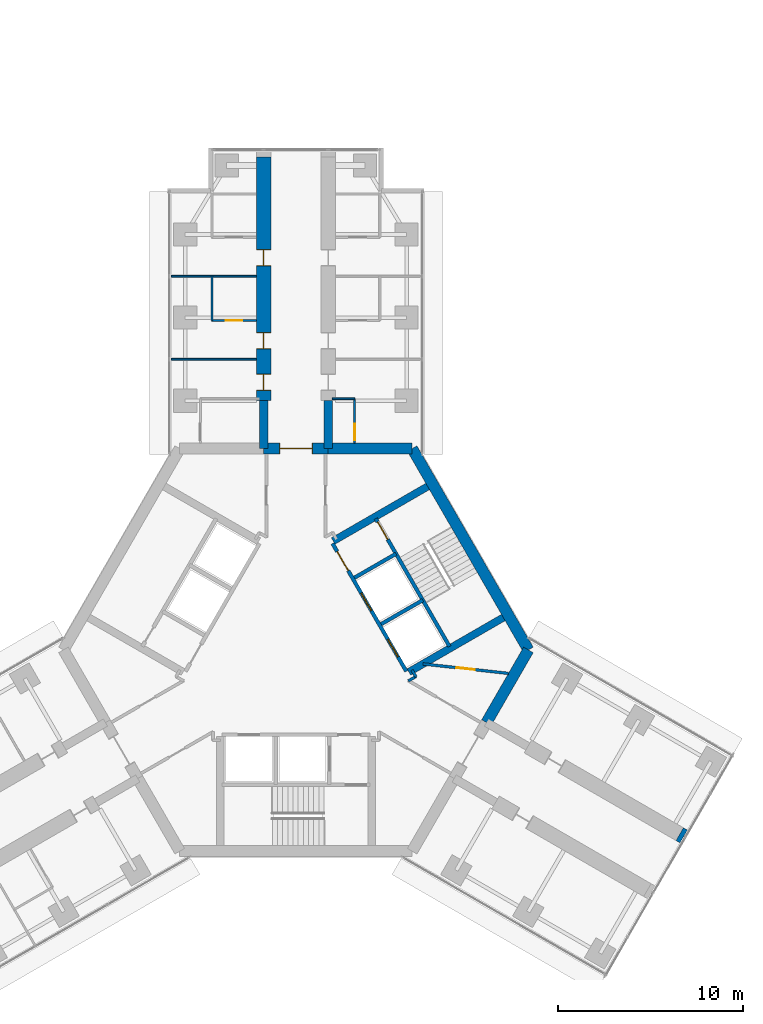
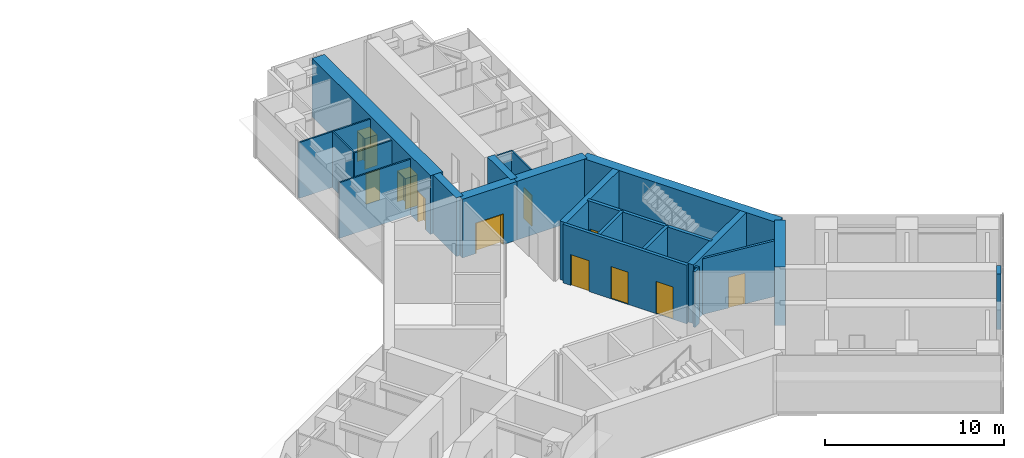
# One storey, part 20 of 23: 23 walls, 11 doors, 11 openings.
"""IFC4 building model written with IfcOpenShell, lengths in metres."""

from ifc_helpers import new_model, si_unit, direction, frame, frame_2d, origin, place, context, subcontext, project, spatial, rectangle, extrude, material, layer, layer_set, type_object, element, fill, save


model = new_model("IFC4")

# Units and contexts
model_context = context("Model", 3, precision=1e-05, world=origin(), true_north=direction((0.0, 1.0)))
body_context = subcontext(model_context, "Body", "Model", "MODEL_VIEW")
ifc_project = project(units=[si_unit("LENGTHUNIT", "METRE"), si_unit("AREAUNIT", "SQUARE_METRE"), si_unit("VOLUMEUNIT", "CUBIC_METRE"), si_unit("PLANEANGLEUNIT", "RADIAN"), si_unit("MASSUNIT", "GRAM", prefix="KILO")], contexts=[model_context])

# Site, building, storey
site_placement = place(None, origin())
site = spatial("IfcSite", under=ifc_project, at=site_placement, CompositionType="ELEMENT")
building_placement = place(site_placement, origin())
building = spatial("IfcBuilding", under=site, at=building_placement, Name="Upepo Twin Towers", CompositionType="ELEMENT")
storey_placement = place(building_placement, frame((0.0, 0.0, 153.5)))
storey = spatial("IfcBuildingStorey", under=building, at=storey_placement, Name="L37", CompositionType="ELEMENT", Elevation=153.5)

# Walls
ifc_material_1 = material(Name="Dense concrete blockwork", Category="masonry")
ifc_layer_1 = layer(ifc_material_1, 0.800048828125)
ifc_layer_set_1 = layer_set([ifc_layer_1], Name="Buttress closer 800, blockwork with fire-stopping to the curtain wall")
wall_type_1 = type_object("IfcWallType", Name="Buttress closer 800, blockwork with fire-stopping to the curtain wall", PredefinedType="PARTITIONING", material=ifc_layer_set_1)
wall_1_placement = place(storey_placement, frame((79.293701171875, -27.984375, 0.0), z_axis=(0.0, 0.0, 1.0), x_axis=(0.865827443207, -0.500342721131, 0.0)))
element("IfcWall", 1, at=wall_1_placement, inside=storey, type_object=wall_type_1, Name="T2 L37 wing C buttress closer L", PredefinedType="PARTITIONING", context=body_context, shape_type="SweptSolid", body=[
    extrude(rectangle(XDim=0.249755859375, YDim=0.800048828125, at=frame_2d((0.125, 0.0))), origin(), (0.0, 0.0, 1.0), 3.800048828125),
])
ifc_material_2 = material(Name="Concrete C60/75", Category="concrete")
ifc_layer_2 = layer(ifc_material_2, 0.449951171875)
ifc_layer_set_2 = layer_set([ifc_layer_2], Name="Concrete C60/75")
wall_type_2 = type_object("IfcWallType", Name="Buttress wall 450 RC", PredefinedType="SHEAR", material=ifc_layer_set_2)
for number, where, z_axis, x_axis, name in (
    (2, (56.75, -7.091552734375, 0.0), (0.0, 0.0, 1.0), (0.0, 1.0, 0.0), "T2 wing A buttress wall L"),
    (3, (60.25, -7.091552734375, 0.0), (0.0, 0.0, 1.0), (0.0, 1.0, 0.0), "T2 wing A buttress wall R"),
):
    element("IfcWall", number, at=place(storey_placement, frame(where, z_axis=z_axis, x_axis=x_axis)), inside=storey, type_object=wall_type_2, Name=name, PredefinedType="SHEAR", context=body_context, shape_type="SweptSolid", body=[
        extrude(rectangle(XDim=2.591552734375, YDim=0.449951171875, at=frame_2d((1.2958984375, 0.0))), origin(), (0.0, 0.0, 1.0), 4.0),
    ])

# Wall, openings, doors
ifc_material_3 = material(Name="Concrete C60/75", Category="concrete")
ifc_layer_3 = layer(ifc_material_3, 0.800048828125)
ifc_layer_set_3 = layer_set([ifc_layer_3], Name="Concrete C60/75")
wall_type_3 = type_object("IfcWallType", Name="Buttress wall 800 RC", PredefinedType="SHEAR", material=ifc_layer_set_3)
wall_2_placement = place(storey_placement, frame((56.75, -4.5, 0.0), z_axis=(0.0, 0.0, 1.0), x_axis=(0.0, 1.0, 0.0)))
wall_2 = element("IfcWall", 4, at=wall_2_placement, inside=storey, type_object=wall_type_3, Name="T2 wing A buttress wall L part 2", PredefinedType="SHEAR", context=body_context, shape_type="SweptSolid", body=[
    extrude(rectangle(XDim=13.199951171875, YDim=0.800048828125, at=frame_2d((6.60009765625, 0.0))), origin(), (0.0, 0.0, 1.0), 4.0),
])
opening_1_placement = place(wall_2_placement, frame((0.550048828125, 0.0, 0.0)))
opening_1 = element("IfcOpeningElement", 5, at=opening_1_placement, cuts=wall_2, Name="Opening D11", PredefinedType="OPENING", context=body_context, shape_type="SweptSolid", body=[
    extrude(rectangle(XDim=0.89990234375, YDim=2.10009765625, at=frame_2d((0.449951171875, 1.050048828125))), frame((0.0, 0.409912109375, 0.0), z_axis=(0.0, -1.0, 0.0), x_axis=(1.0, 0.0, 0.0)), (0.0, 0.0, 1.0), 0.820068359375),
])
opening_2_placement = place(wall_2_placement, frame((2.800048828125, 0.0, 0.0)))
opening_2 = element("IfcOpeningElement", 6, at=opening_2_placement, cuts=wall_2, Name="Opening D14", PredefinedType="OPENING", context=body_context, shape_type="SweptSolid", body=[
    extrude(rectangle(XDim=0.89990234375, YDim=2.10009765625, at=frame_2d((0.449951171875, 1.050048828125))), frame((0.0, 0.409912109375, 0.0), z_axis=(0.0, -1.0, 0.0), x_axis=(1.0, 0.0, 0.0)), (0.0, 0.0, 1.0), 0.820068359375),
])
opening_3_placement = place(wall_2_placement, frame((7.300048828125, 0.0, 0.0)))
opening_3 = element("IfcOpeningElement", 7, at=opening_3_placement, cuts=wall_2, Name="Opening D14", PredefinedType="OPENING", context=body_context, shape_type="SweptSolid", body=[
    extrude(rectangle(XDim=0.89990234375, YDim=2.10009765625, at=frame_2d((0.449951171875, 1.050048828125))), frame((0.0, 0.409912109375, 0.0), z_axis=(0.0, -1.0, 0.0), x_axis=(1.0, 0.0, 0.0)), (0.0, 0.0, 1.0), 0.820068359375),
])
ifc_material_4 = material(Name="Timber doorset", Category="wood")
door_type_1 = type_object("IfcDoorType", Name="Office door 900 FD30", OperationType="SINGLE_SWING_LEFT", PredefinedType="DOOR", material=ifc_material_4)
door_1_placement = place(opening_2_placement, origin())
door_1 = element("IfcDoor", 8, at=door_1_placement, inside=storey, type_object=door_type_1, Name="T2 L37 staff office door", OperationType="SINGLE_SWING_LEFT", OverallHeight=2.10009765625, OverallWidth=0.89990234375, PredefinedType="DOOR", context=body_context, shape_type="SweptSolid", body=[
    extrude(rectangle(XDim=0.81990234375, YDim=2.06009765625, at=frame_2d((0.449951171875, 1.030029296875))), frame((0.0, 0.02490234375, 0.0), z_axis=(0.0, -1.0, 0.0), x_axis=(1.0, 0.0, 0.0)), (0.0, 0.0, 1.0), 0.050048828125),
    extrude(rectangle(XDim=0.04, YDim=2.10009765625, at=frame_2d((0.02001953125, 1.050048828125))), frame((0.0, 0.39990234375, 0.0), z_axis=(0.0, -1.0, 0.0), x_axis=(1.0, 0.0, 0.0)), (0.0, 0.0, 1.0), 0.799560546875),
    extrude(rectangle(XDim=0.04, YDim=2.10009765625, at=frame_2d((0.8798828125, 1.050048828125))), frame((0.0, 0.39990234375, 0.0), z_axis=(0.0, -1.0, 0.0), x_axis=(1.0, 0.0, 0.0)), (0.0, 0.0, 1.0), 0.799560546875),
    extrude(rectangle(XDim=0.81990234375, YDim=0.04, at=frame_2d((0.449951171875, 2.080078125))), frame((0.0, 0.39990234375, 0.0), z_axis=(0.0, -1.0, 0.0), x_axis=(1.0, 0.0, 0.0)), (0.0, 0.0, 1.0), 0.799560546875),
])
fill(opening_2, door_1)
door_2_placement = place(opening_3_placement, origin())
door_2 = element("IfcDoor", 9, at=door_2_placement, inside=storey, type_object=door_type_1, Name="T2 L37 meeting room door", OperationType="SINGLE_SWING_RIGHT", OverallHeight=2.10009765625, OverallWidth=0.89990234375, PredefinedType="DOOR", context=body_context, shape_type="SweptSolid", body=[
    extrude(rectangle(XDim=0.81990234375, YDim=2.06009765625, at=frame_2d((0.449951171875, 1.030029296875))), frame((0.0, 0.02490234375, 0.0), z_axis=(0.0, -1.0, 0.0), x_axis=(1.0, 0.0, 0.0)), (0.0, 0.0, 1.0), 0.050048828125),
    extrude(rectangle(XDim=0.04, YDim=2.10009765625, at=frame_2d((0.02001953125, 1.050048828125))), frame((0.0, 0.39990234375, 0.0), z_axis=(0.0, -1.0, 0.0), x_axis=(1.0, 0.0, 0.0)), (0.0, 0.0, 1.0), 0.799560546875),
    extrude(rectangle(XDim=0.04, YDim=2.10009765625, at=frame_2d((0.8798828125, 1.050048828125))), frame((0.0, 0.39990234375, 0.0), z_axis=(0.0, -1.0, 0.0), x_axis=(1.0, 0.0, 0.0)), (0.0, 0.0, 1.0), 0.799560546875),
    extrude(rectangle(XDim=0.81990234375, YDim=0.04, at=frame_2d((0.449951171875, 2.080078125))), frame((0.0, 0.39990234375, 0.0), z_axis=(0.0, -1.0, 0.0), x_axis=(1.0, 0.0, 0.0)), (0.0, 0.0, 1.0), 0.799560546875),
])
fill(opening_3, door_2)
ifc_material_5 = material(Name="Timber doorset", Category="wood")
door_type_2 = type_object("IfcDoorType", Name="Toilet door 900", OperationType="SINGLE_SWING_LEFT", PredefinedType="DOOR", material=ifc_material_5)
door_3_placement = place(opening_1_placement, origin())
door_3 = element("IfcDoor", 10, at=door_3_placement, inside=storey, type_object=door_type_2, Name="T2 L37 accessible wc door", OperationType="SINGLE_SWING_LEFT", OverallHeight=2.10009765625, OverallWidth=0.89990234375, PredefinedType="DOOR", context=body_context, shape_type="SweptSolid", body=[
    extrude(rectangle(XDim=0.81990234375, YDim=2.06009765625, at=frame_2d((0.449951171875, 1.030029296875))), frame((0.0, 0.02490234375, 0.0), z_axis=(0.0, -1.0, 0.0), x_axis=(1.0, 0.0, 0.0)), (0.0, 0.0, 1.0), 0.050048828125),
    extrude(rectangle(XDim=0.04, YDim=2.10009765625, at=frame_2d((0.02001953125, 1.050048828125))), frame((0.0, 0.39990234375, 0.0), z_axis=(0.0, -1.0, 0.0), x_axis=(1.0, 0.0, 0.0)), (0.0, 0.0, 1.0), 0.799560546875),
    extrude(rectangle(XDim=0.04, YDim=2.10009765625, at=frame_2d((0.8798828125, 1.050048828125))), frame((0.0, 0.39990234375, 0.0), z_axis=(0.0, -1.0, 0.0), x_axis=(1.0, 0.0, 0.0)), (0.0, 0.0, 1.0), 0.799560546875),
    extrude(rectangle(XDim=0.81990234375, YDim=0.04, at=frame_2d((0.449951171875, 2.080078125))), frame((0.0, 0.39990234375, 0.0), z_axis=(0.0, -1.0, 0.0), x_axis=(1.0, 0.0, 0.0)), (0.0, 0.0, 1.0), 0.799560546875),
])
fill(opening_1, door_3)

# Wall
ifc_material_6 = material(Name="Concrete C60/75", Category="concrete")
ifc_layer_4 = layer(ifc_material_6, 0.60009765625)
ifc_layer_set_4 = layer_set([ifc_layer_4], Name="Concrete C60/75")
wall_type_4 = type_object("IfcWallType", Name="Core wall 600 RC", PredefinedType="SHEAR", material=ifc_layer_set_4)
wall_3_placement = place(storey_placement, frame((64.7978515625, -7.091552734375, 0.0), z_axis=(0.0, 0.0, 1.0), x_axis=(-1.0, 0.0, 0.0)))
element("IfcWall", 11, at=wall_3_placement, inside=storey, type_object=wall_type_4, Name="T2 core wall 000 R", PredefinedType="SHEAR", context=body_context, shape_type="SweptSolid", body=[
    extrude(rectangle(XDim=4.5478515625, YDim=0.60009765625, at=frame_2d((2.27392578125, 0.0))), origin(), (0.0, 0.0, 1.0), 4.0),
])

# Wall, opening, door
wall_4_placement = place(storey_placement, frame((60.25, -7.091552734375, 0.0), z_axis=(0.0, 0.0, 1.0), x_axis=(-1.0, 0.0, 0.0)))
wall_4 = element("IfcWall", 12, at=wall_4_placement, inside=storey, type_object=wall_type_4, Name="T2 core wall 000", PredefinedType="SHEAR", context=body_context, shape_type="SweptSolid", body=[
    extrude(rectangle(XDim=3.5, YDim=0.60009765625, at=frame_2d((1.75, 0.0))), origin(), (0.0, 0.0, 1.0), 4.0),
])
opening_4_placement = place(wall_4_placement, frame((0.85009765625, 0.0, 0.0)))
opening_4 = element("IfcOpeningElement", 13, at=opening_4_placement, cuts=wall_4, Name="Opening D2", PredefinedType="OPENING", context=body_context, shape_type="SweptSolid", body=[
    extrude(rectangle(XDim=1.800048828125, YDim=2.10009765625, at=frame_2d((0.89990234375, 1.050048828125))), frame((0.0, 0.31005859375, 0.0), z_axis=(0.0, -1.0, 0.0), x_axis=(1.0, 0.0, 0.0)), (0.0, 0.0, 1.0), 0.6201171875),
])
ifc_material_7 = material(Name="Timber doorset", Category="wood")
door_type_3 = type_object("IfcDoorType", Name="Corridor double door 1800 FD60", OperationType="DOUBLE_DOOR_DOUBLE_SWING", PredefinedType="DOOR", material=ifc_material_7)
door_4_placement = place(opening_4_placement, origin())
door_4 = element("IfcDoor", 14, at=door_4_placement, inside=storey, type_object=door_type_3, Name="T2 L37 wing A corridor door", OperationType="DOUBLE_DOOR_DOUBLE_SWING", OverallHeight=2.10009765625, OverallWidth=1.800048828125, PredefinedType="DOOR", context=body_context, shape_type="SweptSolid", body=[
    extrude(rectangle(XDim=1.720048828125, YDim=2.06009765625, at=frame_2d((0.89990234375, 1.030029296875))), frame((0.0, 0.02490234375, 0.0), z_axis=(0.0, -1.0, 0.0), x_axis=(1.0, 0.0, 0.0)), (0.0, 0.0, 1.0), 0.050048828125),
    extrude(rectangle(XDim=0.04, YDim=2.10009765625, at=frame_2d((0.02001953125, 1.050048828125))), frame((0.0, 0.2998046875, 0.0), z_axis=(0.0, -1.0, 0.0), x_axis=(1.0, 0.0, 0.0)), (0.0, 0.0, 1.0), 0.599609375),
    extrude(rectangle(XDim=0.04, YDim=2.10009765625, at=frame_2d((1.780029296875, 1.050048828125))), frame((0.0, 0.2998046875, 0.0), z_axis=(0.0, -1.0, 0.0), x_axis=(1.0, 0.0, 0.0)), (0.0, 0.0, 1.0), 0.599609375),
    extrude(rectangle(XDim=1.720048828125, YDim=0.04, at=frame_2d((0.89990234375, 2.080078125))), frame((0.0, 0.2998046875, 0.0), z_axis=(0.0, -1.0, 0.0), x_axis=(1.0, 0.0, 0.0)), (0.0, 0.0, 1.0), 0.599609375),
])
fill(opening_4, door_4)

# Walls
wall_5_placement = place(storey_placement, frame((68.82177734375, -21.938720703125, 0.0), z_axis=(0.0, 0.0, 1.0), x_axis=(0.500024481964, 0.866011268655, 0.0)))
element("IfcWall", 15, at=wall_5_placement, inside=storey, type_object=wall_type_4, Name="T2 core wall 240 L", PredefinedType="SHEAR", context=body_context, shape_type="SweptSolid", body=[
    extrude(rectangle(XDim=4.548095703125, YDim=0.60009765625, at=frame_2d((2.27392578125, 0.0))), origin(), (0.0, 0.0, 1.0), 4.0),
])
wall_6_placement = place(storey_placement, frame((71.095947265625, -18.0, 0.0), z_axis=(0.0, 0.0, 1.0), x_axis=(-0.500005998175, 0.866021940709, 0.0)))
element("IfcWall", 16, at=wall_6_placement, inside=storey, type_object=wall_type_4, Name="T2 core wall 300", PredefinedType="SHEAR", context=body_context, shape_type="SweptSolid", body=[
    extrude(rectangle(XDim=12.595947265625, YDim=0.60009765625, at=frame_2d((6.2978515625, 0.0))), origin(), (0.0, 0.0, 1.0), 4.0),
])
ifc_material_8 = material(Name="Gypsum board on steel studs", Category="steel")
ifc_layer_5 = layer(ifc_material_8, 0.10009765625)
ifc_layer_set_5 = layer_set([ifc_layer_5], Name="Office partition 100 stud")
wall_type_5 = type_object("IfcWallType", Name="Office partition 100 stud", PredefinedType="PARTITIONING", material=ifc_layer_set_5)
for number, where, z_axis, x_axis, name in (
    (17, (56.35009765625, -2.25, 0.0), (0.0, 0.0, 1.0), (-1.0, 0.0, 0.0), "T2 partition AL at 15.75"),
    (18, (56.35009765625, 2.25, 0.0), (0.0, 0.0, 1.0), (-1.0, 0.0, 0.0), "T2 partition AL at 20.25"),
):
    element("IfcWall", number, at=place(storey_placement, frame(where, z_axis=z_axis, x_axis=x_axis)), inside=storey, type_object=wall_type_5, Name=name, PredefinedType="PARTITIONING", context=body_context, shape_type="SweptSolid", body=[
        extrude(rectangle(XDim=4.60009765625, YDim=0.10009765625, at=frame_2d((2.300048828125, 0.0))), origin(), (0.0, 0.0, 1.0), 3.800048828125),
    ])
wall_7_placement = place(storey_placement, frame((53.949951171875, -0.14990234375, 0.0), z_axis=(0.0, 0.0, 1.0), x_axis=(0.0, 1.0, 0.0)))
element("IfcWall", 19, at=wall_7_placement, inside=storey, type_object=wall_type_5, Name="T2 inner room partition AL at 17.85", PredefinedType="PARTITIONING", context=body_context, shape_type="SweptSolid", body=[
    extrude(rectangle(XDim=2.39990234375, YDim=0.10009765625, at=frame_2d((1.199951171875, 0.0))), origin(), (0.0, 0.0, 1.0), 3.800048828125),
])

# Wall, opening, door
wall_8_placement = place(storey_placement, frame((56.35009765625, -0.14990234375, 0.0), z_axis=(0.0, 0.0, 1.0), x_axis=(-1.0, 0.0, 0.0)))
wall_8 = element("IfcWall", 20, at=wall_8_placement, inside=storey, type_object=wall_type_5, Name="T2 inner room partition AL end at 17.85", PredefinedType="PARTITIONING", context=body_context, shape_type="SweptSolid", body=[
    extrude(rectangle(XDim=2.400146484375, YDim=0.10009765625, at=frame_2d((1.2001953125, 0.0))), origin(), (0.0, 0.0, 1.0), 3.800048828125),
])
opening_5_placement = place(wall_8_placement, frame((0.75, 0.0, 0.0)))
opening_5 = element("IfcOpeningElement", 21, at=opening_5_placement, cuts=wall_8, Name="Opening D14", PredefinedType="OPENING", context=body_context, shape_type="SweptSolid", body=[
    extrude(rectangle(XDim=0.89990234375, YDim=2.10009765625, at=frame_2d((0.449951171875, 1.050048828125))), frame((0.0, 0.06005859375, 0.0), z_axis=(0.0, -1.0, 0.0), x_axis=(1.0, 0.0, 0.0)), (0.0, 0.0, 1.0), 0.1201171875),
])
door_5_placement = place(opening_5_placement, origin())
door_5 = element("IfcDoor", 22, at=door_5_placement, inside=storey, type_object=door_type_1, Name="T2 L37 inner room door", OperationType="SINGLE_SWING_LEFT", OverallHeight=2.10009765625, OverallWidth=0.89990234375, PredefinedType="DOOR", context=body_context, shape_type="SweptSolid", body=[
    extrude(rectangle(XDim=0.89990234375, YDim=2.10009765625, at=frame_2d((0.449951171875, 1.050048828125))), frame((0.0, 0.02490234375, 0.0), z_axis=(0.0, -1.0, 0.0), x_axis=(1.0, 0.0, 0.0)), (0.0, 0.0, 1.0), 0.050048828125),
])
fill(opening_5, door_5)

wall_9_placement = place(storey_placement, frame((61.675048828125, -6.7919921875, 0.0), z_axis=(0.0, 0.0, 1.0), x_axis=(0.0, 1.0, 0.0)))
wall_9 = element("IfcWall", 23, at=wall_9_placement, inside=storey, type_object=wall_type_5, Name="T2 WC bay partition AR at 11.21", PredefinedType="PARTITIONING", context=body_context, shape_type="SweptSolid", body=[
    extrude(rectangle(XDim=2.39990234375, YDim=0.10009765625, at=frame_2d((1.199951171875, 0.0))), origin(), (0.0, 0.0, 1.0), 3.800048828125),
])
opening_6_placement = place(wall_9_placement, frame((0.14990234375, 0.0, 0.0)))
opening_6 = element("IfcOpeningElement", 24, at=opening_6_placement, cuts=wall_9, Name="Opening D14", PredefinedType="OPENING", context=body_context, shape_type="SweptSolid", body=[
    extrude(rectangle(XDim=0.89990234375, YDim=2.10009765625, at=frame_2d((0.449951171875, 1.050048828125))), frame((0.0, 0.06005859375, 0.0), z_axis=(0.0, -1.0, 0.0), x_axis=(1.0, 0.0, 0.0)), (0.0, 0.0, 1.0), 0.1201171875),
])
door_6_placement = place(opening_6_placement, origin())
door_6 = element("IfcDoor", 25, at=door_6_placement, inside=storey, type_object=door_type_1, Name="T2 L37 WC bay inner room door", OperationType="SINGLE_SWING_LEFT", OverallHeight=2.10009765625, OverallWidth=0.89990234375, PredefinedType="DOOR", context=body_context, shape_type="SweptSolid", body=[
    extrude(rectangle(XDim=0.89990234375, YDim=2.10009765625, at=frame_2d((0.449951171875, 1.050048828125))), frame((0.0, 0.02490234375, 0.0), z_axis=(0.0, -1.0, 0.0), x_axis=(1.0, 0.0, 0.0)), (0.0, 0.0, 1.0), 0.050048828125),
])
fill(opening_6, door_6)

# Wall
wall_10_placement = place(storey_placement, frame((60.47509765625, -4.39208984375, 0.0), z_axis=(0.0, 0.0, 1.0), x_axis=(1.0, 0.0, 0.0)))
element("IfcWall", 26, at=wall_10_placement, inside=storey, type_object=wall_type_5, Name="T2 WC bay partition AR end at 13.61", PredefinedType="PARTITIONING", context=body_context, shape_type="SweptSolid", body=[
    extrude(rectangle(XDim=1.199951171875, YDim=0.10009765625, at=frame_2d((0.60009765625, 0.0))), origin(), (0.0, 0.0, 1.0), 3.800048828125),
])

# Wall, openings, doors
ifc_material_9 = material(Name="Concrete C40/50", Category="concrete")
ifc_layer_6 = layer(ifc_material_9, 0.199951171875)
ifc_layer_set_6 = layer_set([ifc_layer_6], Name="Concrete C40/50")
wall_type_6 = type_object("IfcWallType", Name="Shaft wall 200 RC", PredefinedType="SHEAR", material=ifc_layer_set_6)
wall_11_placement = place(storey_placement, frame((64.483642578125, -19.1640625, 0.0), z_axis=(0.0, 0.0, 1.0), x_axis=(-0.49999894854, 0.866026010844, 0.0)))
wall_11 = element("IfcWall", 27, at=wall_11_placement, inside=storey, type_object=wall_type_6, Name="T2 core W300 front wall", PredefinedType="SHEAR", context=body_context, shape_type="SweptSolid", body=[
    extrude(rectangle(XDim=8.0, YDim=0.199951171875, at=frame_2d((4.0, 0.0))), origin(), (0.0, 0.0, 1.0), 4.0),
])
opening_7_placement = place(wall_11_placement, frame((6.300048828125, 0.0, 0.0)))
opening_7 = element("IfcOpeningElement", 28, at=opening_7_placement, cuts=wall_11, Name="Opening D4", PredefinedType="OPENING", context=body_context, shape_type="SweptSolid", body=[
    extrude(rectangle(XDim=1.199951171875, YDim=2.10009765625, at=frame_2d((0.60009765625, 1.050048828125))), frame((0.0, 0.10986328125, 0.0), z_axis=(0.0, -1.0, 0.0), x_axis=(1.0, 0.0, 0.0)), (0.0, 0.0, 1.0), 0.219970703125),
])
opening_8_placement = place(wall_11_placement, frame((0.89990234375, 0.0, 0.0)))
opening_8 = element("IfcOpeningElement", 29, at=opening_8_placement, cuts=wall_11, Name="Opening LD1", PredefinedType="OPENING", context=body_context, shape_type="SweptSolid", body=[
    extrude(rectangle(XDim=1.10009765625, YDim=2.199951171875, at=frame_2d((0.550048828125, 1.10009765625))), frame((0.0, 0.10986328125, 0.0), z_axis=(0.0, -1.0, 0.0), x_axis=(1.0, 0.0, 0.0)), (0.0, 0.0, 1.0), 0.219970703125),
])
opening_9_placement = place(wall_11_placement, frame((3.800048828125, 0.0, 0.0)))
opening_9 = element("IfcOpeningElement", 30, at=opening_9_placement, cuts=wall_11, Name="Opening LD1", PredefinedType="OPENING", context=body_context, shape_type="SweptSolid", body=[
    extrude(rectangle(XDim=1.10009765625, YDim=2.199951171875, at=frame_2d((0.550048828125, 1.10009765625))), frame((0.0, 0.10986328125, 0.0), z_axis=(0.0, -1.0, 0.0), x_axis=(1.0, 0.0, 0.0)), (0.0, 0.0, 1.0), 0.219970703125),
])
ifc_material_10 = material(Name="Steel doorset", Category="steel")
door_type_4 = type_object("IfcDoorType", Name="Lift landing door 1100", OperationType="DOUBLE_DOOR_SLIDING", PredefinedType="DOOR", material=ifc_material_10)
door_7_placement = place(opening_8_placement, origin())
door_7 = element("IfcDoor", 31, at=door_7_placement, inside=storey, type_object=door_type_4, Name="T2 L37 lift ML1 landing door", OperationType="DOUBLE_DOOR_SLIDING", OverallHeight=2.199951171875, OverallWidth=1.10009765625, PredefinedType="DOOR", context=body_context, shape_type="SweptSolid", body=[
    extrude(rectangle(XDim=1.10009765625, YDim=2.199951171875, at=frame_2d((0.550048828125, 1.10009765625))), frame((0.0, 0.02490234375, 0.0), z_axis=(0.0, -1.0, 0.0), x_axis=(1.0, 0.0, 0.0)), (0.0, 0.0, 1.0), 0.050048828125),
])
fill(opening_8, door_7)
door_8_placement = place(opening_9_placement, origin())
door_8 = element("IfcDoor", 32, at=door_8_placement, inside=storey, type_object=door_type_4, Name="T2 L37 lift ML2 landing door", OperationType="DOUBLE_DOOR_SLIDING", OverallHeight=2.199951171875, OverallWidth=1.10009765625, PredefinedType="DOOR", context=body_context, shape_type="SweptSolid", body=[
    extrude(rectangle(XDim=1.10009765625, YDim=2.199951171875, at=frame_2d((0.550048828125, 1.10009765625))), frame((0.0, 0.02490234375, 0.0), z_axis=(0.0, -1.0, 0.0), x_axis=(1.0, 0.0, 0.0)), (0.0, 0.0, 1.0), 0.050048828125),
])
fill(opening_9, door_8)
ifc_material_11 = material(Name="Timber doorset", Category="wood")
door_type_5 = type_object("IfcDoorType", Name="Lobby door 1200 FD60", OperationType="SINGLE_SWING_LEFT", PredefinedType="DOOR", material=ifc_material_11)
door_9_placement = place(opening_7_placement, origin())
door_9 = element("IfcDoor", 33, at=door_9_placement, inside=storey, type_object=door_type_5, Name="T2 L37 W300 lobby door", OperationType="SINGLE_SWING_RIGHT", OverallHeight=2.10009765625, OverallWidth=1.199951171875, PredefinedType="DOOR", context=body_context, shape_type="SweptSolid", body=[
    extrude(rectangle(XDim=1.199951171875, YDim=2.10009765625, at=frame_2d((0.60009765625, 1.050048828125))), frame((0.0, 0.02490234375, 0.0), z_axis=(0.0, -1.0, 0.0), x_axis=(1.0, 0.0, 0.0)), (0.0, 0.0, 1.0), 0.050048828125),
])
fill(opening_7, door_9)

# Walls
wall_12_placement = place(storey_placement, frame((63.120361328125, -16.6025390625, 0.0), z_axis=(0.0, 0.0, 1.0), x_axis=(0.866062058628, 0.499936506574, 0.0)))
element("IfcWall", 34, at=wall_12_placement, inside=storey, type_object=wall_type_6, Name="T2 core W300 shaft divider", PredefinedType="SHEAR", context=body_context, shape_type="SweptSolid", body=[
    extrude(rectangle(XDim=2.599853515625, YDim=0.199951171875, at=frame_2d((1.2998046875, 0.0))), origin(), (0.0, 0.0, 1.0), 4.0),
])
wall_13_placement = place(storey_placement, frame((61.67041015625, -14.091064453125, 0.0), z_axis=(0.0, 0.0, 1.0), x_axis=(0.86603858612, 0.49997716683, 0.0)))
element("IfcWall", 35, at=wall_13_placement, inside=storey, type_object=wall_type_6, Name="T2 core W300 lobby wall", PredefinedType="SHEAR", context=body_context, shape_type="SweptSolid", body=[
    extrude(rectangle(XDim=2.599609375, YDim=0.199951171875, at=frame_2d((1.2998046875, 0.0))), origin(), (0.0, 0.0, 1.0), 4.0),
])

# Wall, opening, door
wall_14_placement = place(storey_placement, frame((66.822021484375, -17.814208984375, 0.0), z_axis=(0.0, 0.0, 1.0), x_axis=(-0.49999894854, 0.866026010844, 0.0)))
wall_14 = element("IfcWall", 36, at=wall_14_placement, inside=storey, type_object=wall_type_6, Name="T2 core W300 stair wall", PredefinedType="SHEAR", context=body_context, shape_type="SweptSolid", body=[
    extrude(rectangle(XDim=8.0, YDim=0.199951171875, at=frame_2d((4.0, 0.0))), origin(), (0.0, 0.0, 1.0), 4.0),
])
opening_10_placement = place(wall_14_placement, frame((6.699951171875, 0.0, 0.0)))
opening_10 = element("IfcOpeningElement", 37, at=opening_10_placement, cuts=wall_14, Name="Opening D3", PredefinedType="OPENING", context=body_context, shape_type="SweptSolid", body=[
    extrude(rectangle(XDim=1.10009765625, YDim=2.10009765625, at=frame_2d((0.550048828125, 1.050048828125))), frame((0.0, 0.10986328125, 0.0), z_axis=(0.0, -1.0, 0.0), x_axis=(1.0, 0.0, 0.0)), (0.0, 0.0, 1.0), 0.219970703125),
])
ifc_material_12 = material(Name="Timber doorset", Category="wood")
door_type_6 = type_object("IfcDoorType", Name="Stair door 1100 FD60", OperationType="SINGLE_SWING_LEFT", PredefinedType="DOOR", material=ifc_material_12)
door_10_placement = place(opening_10_placement, origin())
door_10 = element("IfcDoor", 38, at=door_10_placement, inside=storey, type_object=door_type_6, Name="T2 L37 stair door", OperationType="SINGLE_SWING_RIGHT", OverallHeight=2.10009765625, OverallWidth=1.10009765625, PredefinedType="DOOR", context=body_context, shape_type="SweptSolid", body=[
    extrude(rectangle(XDim=1.10009765625, YDim=2.10009765625, at=frame_2d((0.550048828125, 1.050048828125))), frame((0.0, 0.02490234375, 0.0), z_axis=(0.0, -1.0, 0.0), x_axis=(1.0, 0.0, 0.0)), (0.0, 0.0, 1.0), 0.050048828125),
])
fill(opening_10, door_10)

# Walls
ifc_material_13 = material(Name="Concrete C40/50", Category="concrete")
ifc_layer_7 = layer(ifc_material_13, 0.39990234375)
ifc_layer_set_7 = layer_set([ifc_layer_7], Name="Concrete C40/50")
wall_type_7 = type_object("IfcWallType", Name="Shaft wall 400 RC", PredefinedType="SHEAR", material=ifc_layer_set_7)
wall_15_placement = place(storey_placement, frame((60.520263671875, -12.099365234375, 0.0), z_axis=(0.0, 0.0, 1.0), x_axis=(0.866009424208, 0.500027676417, 0.0)))
element("IfcWall", 39, at=wall_15_placement, inside=storey, type_object=wall_type_7, Name="T2 core W300 side wall N", PredefinedType="SHEAR", context=body_context, shape_type="SweptSolid", body=[
    extrude(rectangle(XDim=5.908447265625, YDim=0.39990234375, at=frame_2d((2.9541015625, 0.0))), origin(), (0.0, 0.0, 1.0), 4.0),
])
wall_16_placement = place(storey_placement, frame((64.620361328125, -19.20068359375, 0.0), z_axis=(0.0, 0.0, 1.0), x_axis=(0.866027317282, 0.49999668571, 0.0)))
element("IfcWall", 40, at=wall_16_placement, inside=storey, type_object=wall_type_7, Name="T2 core W300 side wall S", PredefinedType="SHEAR", context=body_context, shape_type="SweptSolid", body=[
    extrude(rectangle(XDim=5.908203125, YDim=0.39990234375, at=frame_2d((2.9541015625, 0.0))), origin(), (0.0, 0.0, 1.0), 4.0),
])
ifc_material_14 = material(Name="Gypsum board on steel studs", Category="steel")
ifc_layer_8 = layer(ifc_material_14, 0.14990234375)
ifc_layer_set_8 = layer_set([ifc_layer_8], Name="Teaching partition 150 acoustic")
wall_type_8 = type_object("IfcWallType", Name="Teaching partition 150 acoustic", PredefinedType="PARTITIONING", material=ifc_layer_set_8)
wall_17_placement = place(storey_placement, frame((64.78857421875, -19.092041015625, 0.0), z_axis=(0.0, 0.0, 1.0), x_axis=(0.499804398801, -0.866138304741, 0.0)))
element("IfcWall", 41, at=wall_17_placement, inside=storey, type_object=wall_type_8, Name="T2 core room partition 12", PredefinedType="PARTITIONING", context=body_context, shape_type="SweptSolid", body=[
    extrude(rectangle(XDim=0.429931640625, YDim=0.14990234375, at=frame_2d((0.21484375, 0.0))), origin(), (0.0, 0.0, 1.0), 3.800048828125),
])
wall_18_placement = place(storey_placement, frame((65.0107421875, -19.43701171875, 0.0), z_axis=(0.0, 0.0, 1.0), x_axis=(-0.865831790172, -0.50033519877, 0.0)))
element("IfcWall", 42, at=wall_18_placement, inside=storey, type_object=wall_type_8, Name="T2 core room partition 13", PredefinedType="PARTITIONING", context=body_context, shape_type="SweptSolid", body=[
    extrude(rectangle(XDim=0.494384765625, YDim=0.14990234375, at=frame_2d((0.2470703125, 0.0))), origin(), (0.0, 0.0, 1.0), 3.800048828125),
])

# Wall, opening, door
wall_19_placement = place(storey_placement, frame((65.381103515625, -18.761474609375, 0.0), z_axis=(0.0, 0.0, 1.0), x_axis=(0.993932184458, -0.109994603044, 0.0)))
wall_19 = element("IfcWall", 43, at=wall_19_placement, inside=storey, type_object=wall_type_8, Name="T2 core room partition 19", PredefinedType="PARTITIONING", context=body_context, shape_type="SweptSolid", body=[
    extrude(rectangle(XDim=4.6611328125, YDim=0.14990234375, at=frame_2d((2.33056640625, 0.0))), origin(), (0.0, 0.0, 1.0), 3.800048828125),
])
opening_11_placement = place(wall_19_placement, frame((1.83056640625, 0.0, 0.0)))
opening_11 = element("IfcOpeningElement", 44, at=opening_11_placement, cuts=wall_19, Name="Opening D1", PredefinedType="OPENING", context=body_context, shape_type="SweptSolid", body=[
    extrude(rectangle(XDim=1.0, YDim=2.10009765625, at=frame_2d((0.5, 1.050048828125))), frame((0.0, 0.0849609375, 0.0), z_axis=(0.0, -1.0, 0.0), x_axis=(1.0, 0.0, 0.0)), (0.0, 0.0, 1.0), 0.169921875),
])
ifc_material_15 = material(Name="Timber doorset", Category="wood")
door_type_7 = type_object("IfcDoorType", Name="Room door 1000 FD30", OperationType="SINGLE_SWING_LEFT", PredefinedType="DOOR", material=ifc_material_15)
door_11_placement = place(opening_11_placement, origin())
door_11 = element("IfcDoor", 45, at=door_11_placement, inside=storey, type_object=door_type_7, Name="T2 L37 core room door K5", OperationType="SINGLE_SWING_LEFT", OverallHeight=2.10009765625, OverallWidth=1.0, PredefinedType="DOOR", context=body_context, shape_type="SweptSolid", body=[
    extrude(rectangle(XDim=1.0, YDim=2.10009765625, at=frame_2d((0.5, 1.050048828125))), frame((0.0, 0.02490234375, 0.0), z_axis=(0.0, -1.0, 0.0), x_axis=(1.0, 0.0, 0.0)), (0.0, 0.0, 1.0), 0.050048828125),
])
fill(opening_11, door_11)

save(model, "model.ifc")
